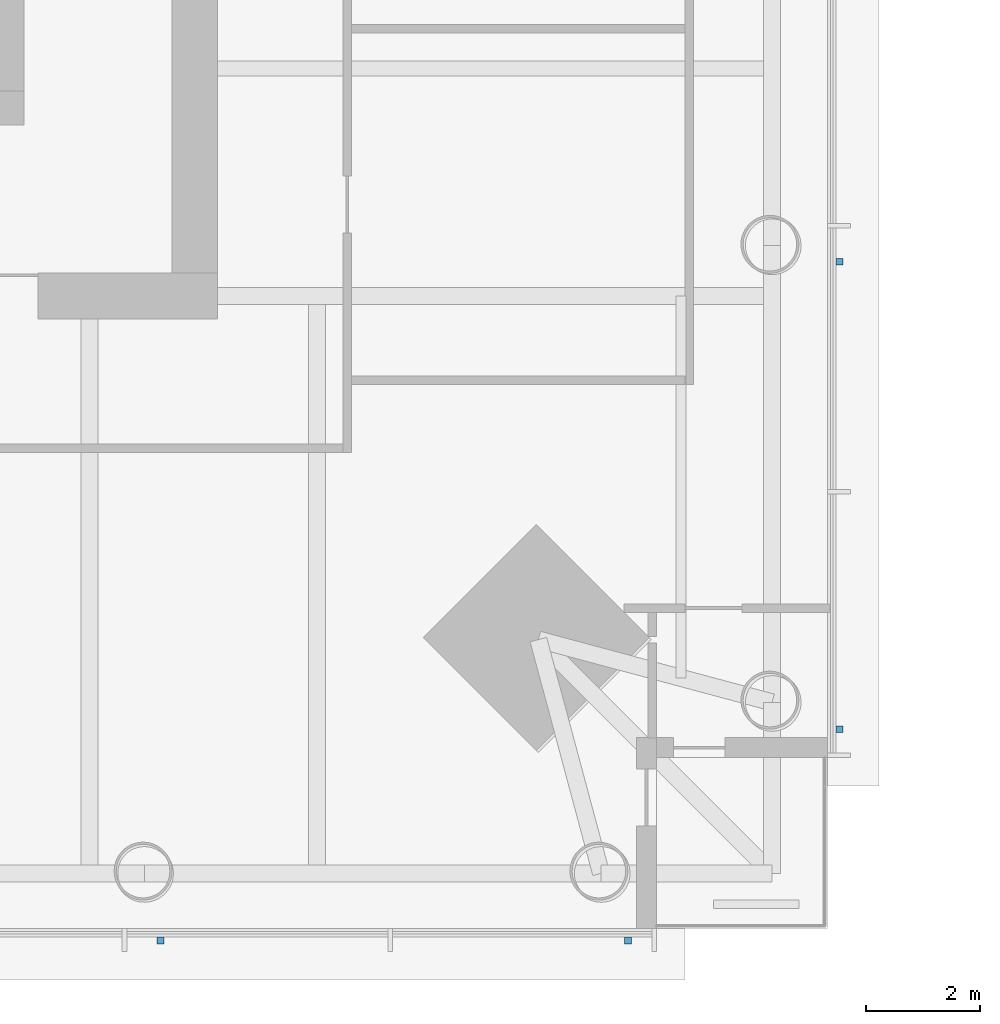
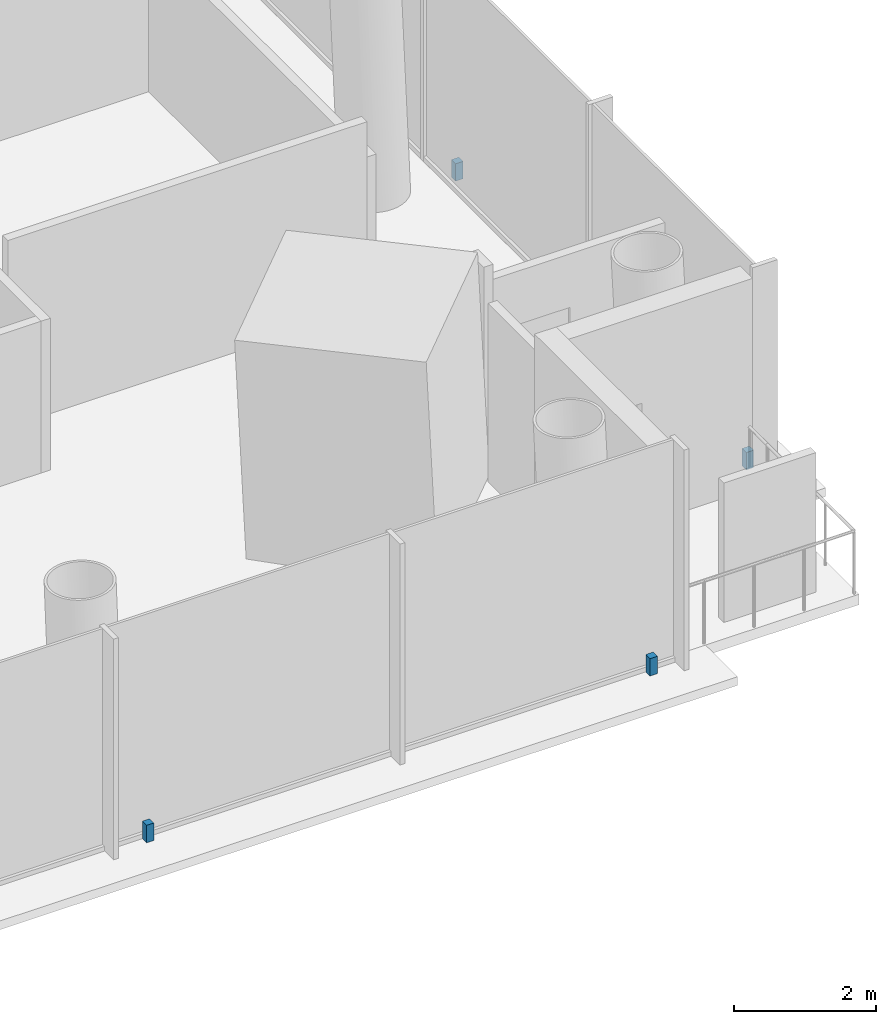
# One storey, part 19 of 26: 4 discrete accessories.
"""IFC4 building model written with IfcOpenShell, lengths in metres."""

import ifcopenshell
import ifcopenshell.guid

model = None  # the IFC model being written
_history = None  # IfcOwnerHistory: only IFC2X3 demands one
_inside = {}  # id of a spatial element -> (the spatial element, [elements in it])
_under = {}  # id of a project, library or spatial element -> (it, [spatial elements below it])
_declared = {}  # id of a project -> (the project, [libraries it declares])
_typed = {}  # id of a type object -> (the type object, [elements of that type])
_made_of = {}  # id of a material, layer set ... -> (it, [elements and type objects made of it])


def new_model(schema):
    """Start an empty IFC model of exactly this schema.

    Asked for "IFC4X3", IfcOpenShell would pick the latest addendum, in which some entities
    have other attributes; the version numbers below select the first issue.
    IFC2X3 requires an IfcOwnerHistory on every rooted entity: one is made here for all.
    """
    global model, _history
    if schema == "IFC4X3":
        model = ifcopenshell.file(schema_version=(4, 3, 0, 0))
    else:
        model = ifcopenshell.file(schema=schema)
    _inside.clear()
    _under.clear()
    _declared.clear()
    _typed.clear()
    _made_of.clear()
    _history = None
    if model.schema == "IFC2X3":
        org = make("IfcOrganization", Name="unknown")
        user = make(
            "IfcPersonAndOrganization",
            ThePerson=make("IfcPerson", FamilyName="unknown"),
            TheOrganization=org,
        )
        app = make(
            "IfcApplication",
            ApplicationDeveloper=org,
            Version="unknown",
            ApplicationFullName="unknown",
            ApplicationIdentifier="unknown",
        )
        _history = make(
            "IfcOwnerHistory",
            OwningUser=user,
            OwningApplication=app,
            ChangeAction="ADDED",
            CreationDate=0,
        )
    return model


def make(cls, **values):
    """One entity of the class cls with the attributes given. An attribute that is None is left unset."""
    return model.create_entity(
        cls, **{name: value for name, value in values.items() if value is not None}
    )


def rooted(cls, **values):
    """An entity with a GlobalId (a new one), such as an element, a storey or a relation."""
    return make(cls, GlobalId=ifcopenshell.guid.new(), OwnerHistory=_history, **values)


def si_unit(unit_type, name, prefix=None):
    """IfcSIUnit, for example si_unit("LENGTHUNIT", "METRE", prefix="MILLI")."""
    return make("IfcSIUnit", UnitType=unit_type, Prefix=prefix, Name=name)


def assignment(units):
    """IfcUnitAssignment: the units of a project."""
    return None if units is None else make("IfcUnitAssignment", Units=units)


def point(xyz):
    """IfcCartesianPoint."""
    return None if xyz is None else make("IfcCartesianPoint", Coordinates=xyz)


def direction(xyz):
    """IfcDirection."""
    return None if xyz is None else make("IfcDirection", DirectionRatios=xyz)


def frame(location, z_axis=None, x_axis=None):
    """IfcAxis2Placement3D, a coordinate frame: its origin and axes. An axis left out is left unset."""
    return make(
        "IfcAxis2Placement3D",
        Location=point(location),
        Axis=direction(z_axis),
        RefDirection=direction(x_axis),
    )


def frame_2d(location, x_axis=None):
    """IfcAxis2Placement2D, a coordinate frame in the plane: its origin and x axis."""
    return make(
        "IfcAxis2Placement2D", Location=point(location), RefDirection=direction(x_axis)
    )


def origin():
    """The frame at (0, 0, 0) with its axes left unset."""
    return frame((0.0, 0.0, 0.0))


def origin_2d():
    """The frame at (0, 0) in the plane with its x axis left unset."""
    return frame_2d((0.0, 0.0))


def place(relative_to, where):
    """IfcLocalPlacement: puts the frame where relative to a parent placement (None: the world)."""
    return make(
        "IfcLocalPlacement", PlacementRelTo=relative_to, RelativePlacement=where
    )


def context(
    kind, dimensions, precision=None, world=None, true_north=None, identifier=None
):
    """IfcGeometricRepresentationContext, for example the 3D "Model" context."""
    return make(
        "IfcGeometricRepresentationContext",
        ContextIdentifier=identifier,
        ContextType=kind,
        CoordinateSpaceDimension=dimensions,
        Precision=precision,
        WorldCoordinateSystem=world,
        TrueNorth=true_north,
    )


def subcontext(parent, identifier, kind, view, scale=None):
    """IfcGeometricRepresentationSubContext, for example "Body" below "Model"."""
    return make(
        "IfcGeometricRepresentationSubContext",
        ContextIdentifier=identifier,
        ContextType=kind,
        ParentContext=parent,
        TargetScale=scale,
        TargetView=view,
    )


def project(units=None, contexts=None):
    """IfcProject with its units and contexts."""
    return rooted(
        "IfcProject",
        Name="project",
        RepresentationContexts=contexts,
        UnitsInContext=assignment(units),
    )


def spatial(cls, under=None, at=None, **own):
    """A site, building, storey or space (cls), placed at a placement, below another one or the project."""
    s = rooted(cls, ObjectPlacement=at, **own)
    if under is not None:
        _under.setdefault(under.id(), (under, []))[1].append(s)
    return s


def profile(cls, at=None, kind="AREA", **sizes):
    """A parametric profile (cls). Its sizes go by their IFC names, for example OverallWidth=200.0."""
    return make(cls, ProfileType=kind, Position=at, **sizes)


def rectangle(**sizes):
    """IfcRectangleProfileDef."""
    return profile("IfcRectangleProfileDef", **sizes)


def extrude(swept, where, along, depth):
    """IfcExtrudedAreaSolid: the profile swept, set in the frame where, extruded along a direction by depth."""
    return make(
        "IfcExtrudedAreaSolid",
        SweptArea=swept,
        Position=where,
        ExtrudedDirection=direction(along),
        Depth=depth,
    )


def shape(context_of_items, identifier, shape_type, items):
    """IfcShapeRepresentation: the items that make up one representation, for example the "Body"."""
    return make(
        "IfcShapeRepresentation",
        ContextOfItems=context_of_items,
        RepresentationIdentifier=identifier,
        RepresentationType=shape_type,
        Items=items,
    )


def material(Name=None, Category=None):
    """IfcMaterial."""
    return make("IfcMaterial", Name=Name, Category=Category)


def made_of(thing, what):
    """Note that an element or type object is made of a material, layer set ...; save() writes the relation."""
    if what is not None:
        _made_of.setdefault(what.id(), (what, []))[1].append(thing)
    return thing


def type_object(cls, material=None, **own):
    """A type object (cls), such as IfcWallType, which elements share."""
    return made_of(rooted(cls, **own), material)


def element(
    cls,
    number,
    at=None,
    inside=None,
    cuts=None,
    type_object=None,
    material=None,
    context=None,
    identifier="Body",
    shape_type=None,
    held_by="IfcProductDefinitionShape",
    body=None,
    shapes=None,
    **own,
):
    """One element of the class cls, such as IfcWall. Its Tag is "e" and its number.

    at: its placement. inside: the storey or other place that contains it. cuts: it is an
    opening in that element (IfcRelVoidsElement). A single representation is given by context,
    identifier, shape_type and body (its items); several are given by shapes. held_by: the class
    of the entity that holds the representations. save() writes the other relations.
    """
    e = rooted(cls, Tag="e%d" % number, ObjectPlacement=at, **own)
    if body is not None:
        shapes = [shape(context, identifier, shape_type, body)]
    if shapes is not None:
        e.Representation = make(held_by, Representations=shapes)
    if inside is not None:
        _inside.setdefault(inside.id(), (inside, []))[1].append(e)
    if cuts is not None:
        rooted(
            "IfcRelVoidsElement", RelatingBuildingElement=cuts, RelatedOpeningElement=e
        )
    if type_object is not None:
        _typed.setdefault(type_object.id(), (type_object, []))[1].append(e)
    return made_of(e, material)


def aggregate(whole, parts):
    """IfcRelAggregates: a whole, such as a stair, and the parts it consists of."""
    return rooted("IfcRelAggregates", RelatingObject=whole, RelatedObjects=parts)


def save(model, path):
    """Write the relations noted so far, then the file.

    IfcRelAggregates (storeys below a building ...), IfcRelContainedInSpatialStructure (elements
    in a storey), IfcRelDefinesByType, IfcRelAssociatesMaterial and IfcRelDeclares: one each for
    every whole, place, type object, material and project.
    """
    for whole, parts in _under.values():
        aggregate(whole, parts)
    for where, things in _inside.values():
        rooted(
            "IfcRelContainedInSpatialStructure",
            RelatedElements=things,
            RelatingStructure=where,
        )
    for kind, things in _typed.values():
        rooted("IfcRelDefinesByType", RelatedObjects=things, RelatingType=kind)
    for what, things in _made_of.values():
        rooted("IfcRelAssociatesMaterial", RelatedObjects=things, RelatingMaterial=what)
    for by, libraries in _declared.values():
        rooted("IfcRelDeclares", RelatingContext=by, RelatedDefinitions=libraries)
    model.write(path)


model = new_model("IFC4")

# Units and contexts
model_context = context("Model", 3, precision=1e-05, world=origin(), true_north=direction((0.0, 1.0)))
body_context = subcontext(model_context, "Body", "Model", "MODEL_VIEW")
ifc_project = project(units=[si_unit("LENGTHUNIT", "METRE"), si_unit("AREAUNIT", "SQUARE_METRE"), si_unit("VOLUMEUNIT", "CUBIC_METRE"), si_unit("PLANEANGLEUNIT", "RADIAN"), si_unit("MASSUNIT", "GRAM", prefix="KILO")], contexts=[model_context])

# Site, building, storey
site_placement = place(None, origin())
site = spatial("IfcSite", under=ifc_project, at=site_placement, CompositionType="ELEMENT")
building_placement = place(site_placement, origin())
building = spatial("IfcBuilding", under=site, at=building_placement, Name="Ostroluk Exchange", CompositionType="ELEMENT")
storey_placement = place(building_placement, frame((0.0, 0.0, 51.39990234375)))
storey = spatial("IfcBuildingStorey", under=building, at=storey_placement, Name="L12", CompositionType="ELEMENT", Elevation=51.39990234375)

# Discrete accessories
ifc_material = material(Name="Stainless steel", Category="steel")
discrete_accessory_type = type_object("IfcDiscreteAccessoryType", Name="Fall-arrest anchor PN-EN 795 type C", PredefinedType="USERDEFINED", material=ifc_material)
for number, where, z_axis, x_axis, name in (
    (1, (57.300048828125, 21.7900390625, 0.0), (0.0, 0.0, 1.0), (1.0, 0.0, 0.0), "Fall-arrest anchor L12 south 5"),
    (2, (65.5, 21.7900390625, 0.0), (0.0, 0.0, 1.0), (1.0, 0.0, 0.0), "Fall-arrest anchor L12 south 6"),
    (3, (69.2099609375, 25.5, 0.0), (0.0, 0.0, 1.0), (1.0, 0.0, 0.0), "Fall-arrest anchor L12 east 1"),
    (4, (69.2099609375, 33.699951171875, 0.0), (0.0, 0.0, 1.0), (1.0, 0.0, 0.0), "Fall-arrest anchor L12 east 2"),
):
    element("IfcDiscreteAccessory", number, at=place(storey_placement, frame(where, z_axis=z_axis, x_axis=x_axis)), inside=storey, type_object=discrete_accessory_type, Name=name, ObjectType="FALL ARREST ANCHOR", PredefinedType="USERDEFINED", context=body_context, shape_type="SweptSolid", body=[
        extrude(rectangle(XDim=0.1201171875, YDim=0.1201171875, at=origin_2d()), origin(), (0.0, 0.0, 1.0), 0.300048828125),
    ])

save(model, "model.ifc")
